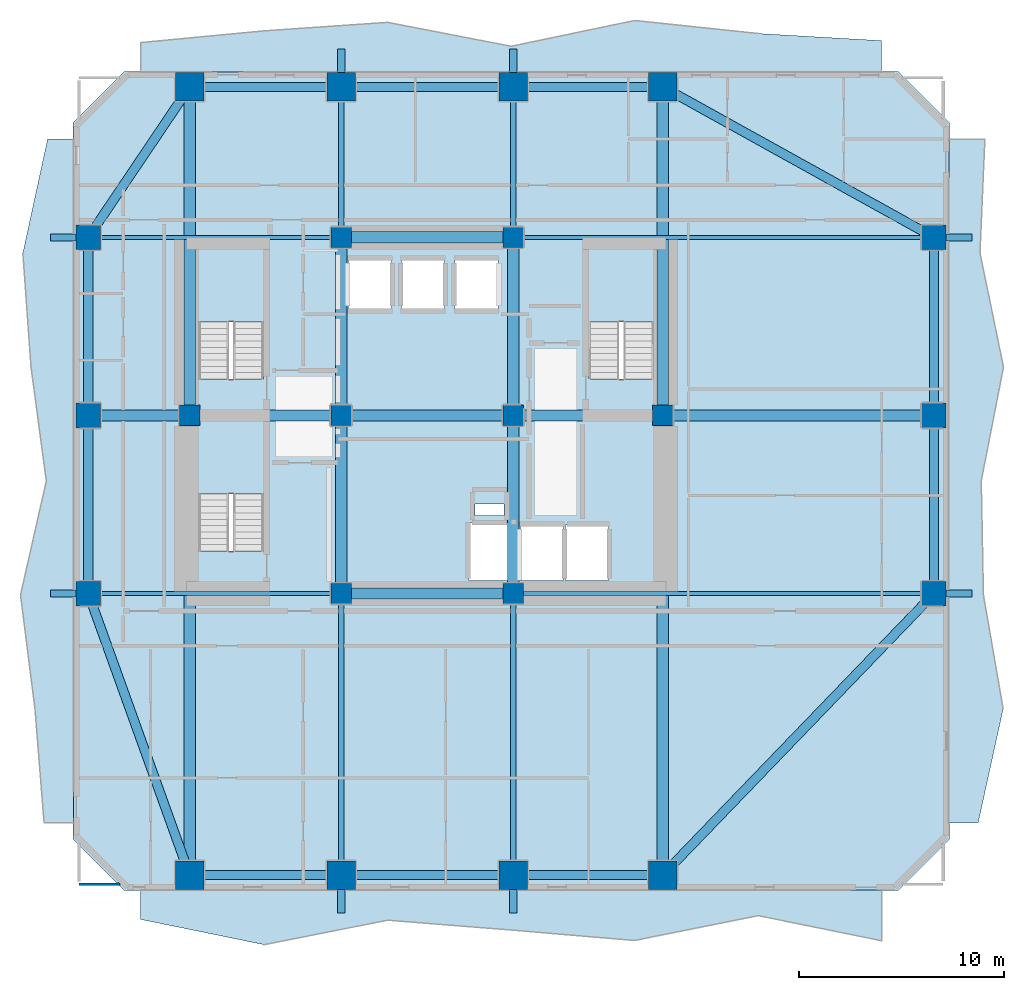
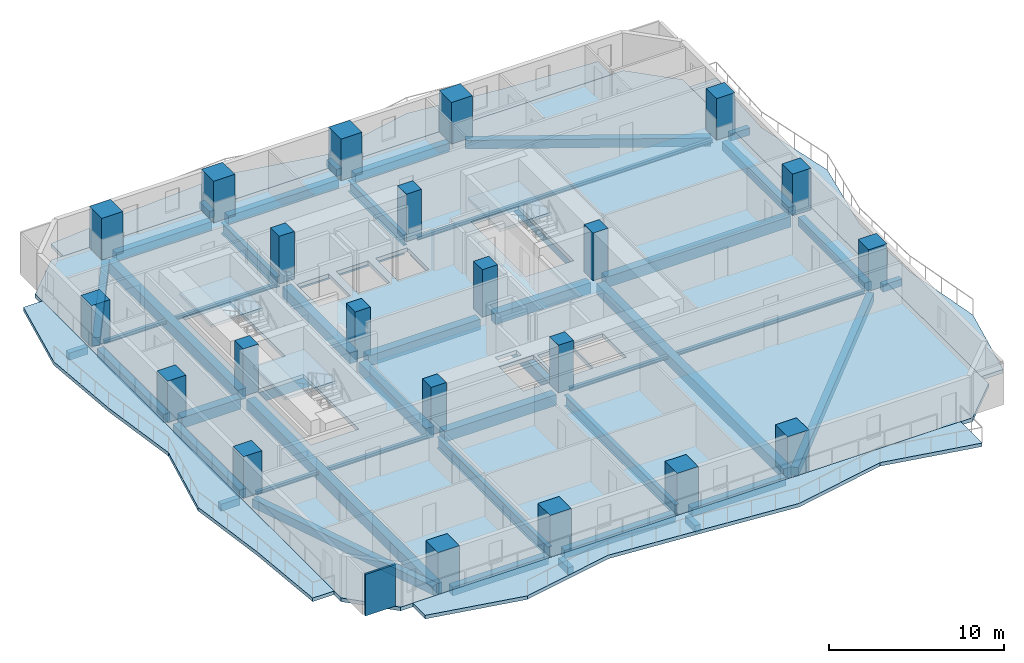
# One storey, part 1 of 9: 45 beams, 22 columns, 8 slabs, 1 wall, 3 elements without a shape of their own.
"""IFC4 building model written with IfcOpenShell, lengths in metres."""

from ifc_helpers import new_model, si_unit, direction, frame, frame_2d, origin, origin_2d, place, context, subcontext, project, spatial, polyline, rectangle, i_section, outline, extrude, material, layer, layer_set, material_profile, profile_set, type_object, element, aggregate, save


model = new_model("IFC4")

# Units and contexts
model_context = context("Model", 3, precision=1e-05, world=origin(), true_north=direction((0.0, 1.0)))
body_context = subcontext(model_context, "Body", "Model", "MODEL_VIEW")
ifc_project = project(units=[si_unit("LENGTHUNIT", "METRE"), si_unit("AREAUNIT", "SQUARE_METRE"), si_unit("VOLUMEUNIT", "CUBIC_METRE"), si_unit("PLANEANGLEUNIT", "RADIAN"), si_unit("MASSUNIT", "GRAM", prefix="KILO")], contexts=[model_context])

# Site, building, storey
site_placement = place(None, origin())
site = spatial("IfcSite", under=ifc_project, at=site_placement, CompositionType="ELEMENT")
building_placement = place(site_placement, origin())
building = spatial("IfcBuilding", under=site, at=building_placement, Name="Solanera Arch Residences", CompositionType="ELEMENT")
storey_placement = place(building_placement, frame((0.0, 0.0, 58.52001953125)))
storey = spatial("IfcBuildingStorey", under=building, at=storey_placement, Name="L16", CompositionType="ELEMENT", Elevation=58.52001953125)

# Columns
ifc_material_1 = material(Name="Concrete C55/67 (f'c = 60 MPa)", Category="concrete")
ifc_material_profile_1 = material_profile(ifc_material_1, rectangle(XDim=1.0, YDim=1.0, at=origin_2d()))
ifc_profile_set_1 = profile_set([ifc_material_profile_1], Name="Concrete C55/67 (f'c = 60 MPa)")
column_type_1 = type_object("IfcColumnType", Name="Structural Column RC-COL-1000X1000", PredefinedType="COLUMN", material=ifc_profile_set_1)
for number, where, z_axis, x_axis, name in (
    (1, (20.800048828125, 22.0, 0.0), (0.0, 0.0, 1.0), (1.0, 0.0, 0.0), "COL-L16-CB-SW"),
    (2, (29.199951171875, 22.0, 0.0), (0.0, 0.0, 1.0), (1.0, 0.0, 0.0), "COL-L16-CB-SE"),
    (3, (20.800048828125, 39.39990234375, 0.0), (0.0, 0.0, 1.0), (1.0, 0.0, 0.0), "COL-L16-CB-NW"),
    (4, (29.199951171875, 39.39990234375, 0.0), (0.0, 0.0, 1.0), (1.0, 0.0, 0.0), "COL-L16-CB-NE"),
    (5, (13.39990234375, 30.699951171875, 0.0), (0.0, 0.0, 1.0), (1.0, 0.0, 0.0), "COL-L16-CB-WW"),
    (6, (36.5, 30.699951171875, 0.0), (0.0, 0.0, 1.0), (1.0, 0.0, 0.0), "COL-L16-CB-EE"),
    (7, (20.800048828125, 30.699951171875, 0.0), (0.0, 0.0, 1.0), (1.0, 0.0, 0.0), "COL-L16-CORE-W"),
    (8, (29.199951171875, 30.699951171875, 0.0), (0.0, 0.0, 1.0), (1.0, 0.0, 0.0), "COL-L16-CORE-E"),
):
    element("IfcColumn", number, at=place(storey_placement, frame(where, z_axis=z_axis, x_axis=x_axis)), inside=storey, type_object=column_type_1, Name=name, PredefinedType="COLUMN", context=body_context, shape_type="SweptSolid", body=[
        extrude(rectangle(XDim=1.0, YDim=1.0, at=origin_2d()), origin(), (0.0, 0.0, 1.0), 3.320068359375),
    ])
ifc_material_2 = material(Name="Concrete C55/67 (f'c = 60 MPa)", Category="concrete")
ifc_material_profile_2 = material_profile(ifc_material_2, rectangle(XDim=1.199951171875, YDim=1.199951171875, at=origin_2d()))
ifc_profile_set_2 = profile_set([ifc_material_profile_2], Name="Concrete C55/67 (f'c = 60 MPa)")
column_type_2 = type_object("IfcColumnType", Name="Structural Column RC-COL-1200X1200", PredefinedType="COLUMN", material=ifc_profile_set_2)
for number, where, z_axis, x_axis, name in (
    (9, (8.449951171875, 22.0, 0.0), (0.0, 0.0, 1.0), (1.0, 0.0, 0.0), "COL-L16-TWR-09"),
    (10, (49.75, 22.0, 0.0), (0.0, 0.0, 1.0), (1.0, 0.0, 0.0), "COL-L16-TWR-10"),
    (11, (8.449951171875, 30.699951171875, 0.0), (0.0, 0.0, 1.0), (1.0, 0.0, 0.0), "COL-L16-TWR-11"),
    (12, (49.75, 30.699951171875, 0.0), (0.0, 0.0, 1.0), (1.0, 0.0, 0.0), "COL-L16-TWR-12"),
    (13, (8.449951171875, 39.39990234375, 0.0), (0.0, 0.0, 1.0), (1.0, 0.0, 0.0), "COL-L16-TWR-13"),
    (14, (49.75, 39.39990234375, 0.0), (0.0, 0.0, 1.0), (1.0, 0.0, 0.0), "COL-L16-TWR-14"),
):
    element("IfcColumn", number, at=place(storey_placement, frame(where, z_axis=z_axis, x_axis=x_axis)), inside=storey, type_object=column_type_2, Name=name, PredefinedType="COLUMN", context=body_context, shape_type="SweptSolid", body=[
        extrude(rectangle(XDim=1.199951171875, YDim=1.199951171875, at=origin_2d()), origin(), (0.0, 0.0, 1.0), 2.89990234375),
    ])
ifc_material_3 = material(Name="Concrete C55/67 (f'c = 60 MPa)", Category="concrete")
ifc_material_profile_3 = material_profile(ifc_material_3, rectangle(XDim=1.39990234375, YDim=1.39990234375, at=origin_2d()))
ifc_profile_set_3 = profile_set([ifc_material_profile_3], Name="Concrete C55/67 (f'c = 60 MPa)")
column_type_3 = type_object("IfcColumnType", Name="Structural Column RC-COL-1400X1400", PredefinedType="COLUMN", material=ifc_profile_set_3)
for number, where, z_axis, x_axis, name in (
    (15, (13.39990234375, 8.25, 0.0), (0.0, 0.0, 1.0), (1.0, 0.0, 0.0), "COL-L16-TWR-01"),
    (16, (13.39990234375, 46.75, 0.0), (0.0, 0.0, 1.0), (1.0, 0.0, 0.0), "COL-L16-TWR-02"),
    (17, (20.800048828125, 8.25, 0.0), (0.0, 0.0, 1.0), (1.0, 0.0, 0.0), "COL-L16-TWR-03"),
    (18, (20.800048828125, 46.75, 0.0), (0.0, 0.0, 1.0), (1.0, 0.0, 0.0), "COL-L16-TWR-04"),
    (19, (29.199951171875, 8.25, 0.0), (0.0, 0.0, 1.0), (1.0, 0.0, 0.0), "COL-L16-TWR-05"),
    (20, (29.199951171875, 46.75, 0.0), (0.0, 0.0, 1.0), (1.0, 0.0, 0.0), "COL-L16-TWR-06"),
    (21, (36.5, 8.25, 0.0), (0.0, 0.0, 1.0), (1.0, 0.0, 0.0), "COL-L16-TWR-07"),
    (22, (36.5, 46.75, 0.0), (0.0, 0.0, 1.0), (1.0, 0.0, 0.0), "COL-L16-TWR-08"),
):
    element("IfcColumn", number, at=place(storey_placement, frame(where, z_axis=z_axis, x_axis=x_axis)), inside=storey, type_object=column_type_3, Name=name, PredefinedType="COLUMN", context=body_context, shape_type="SweptSolid", body=[
        extrude(rectangle(XDim=1.39990234375, YDim=1.39990234375, at=origin_2d()), origin(), (0.0, 0.0, 1.0), 2.89990234375),
    ])

# Beams
ifc_material_4 = material(Name="Concrete C40/50 (f'c = 45 MPa)", Category="concrete")
ifc_material_profile_4 = material_profile(ifc_material_4, rectangle(XDim=0.35009765625, YDim=0.5, at=origin_2d()))
ifc_profile_set_4 = profile_set([ifc_material_profile_4], Name="Concrete C40/50 (f'c = 45 MPa)")
beam_type_1 = type_object("IfcBeamType", Name="BM-BALC-RIB", PredefinedType="BEAM", material=ifc_profile_set_4)
for number, where, z_axis, x_axis, name in (
    (23, (20.800048828125, 6.39990234375, -0.5), (0.0, 1.0, 0.0), (-1.0, 0.0, 0.0), "BM-L16-BRIB-S1"),
    (24, (29.199951171875, 6.39990234375, -0.5), (0.0, 1.0, 0.0), (-1.0, 0.0, 0.0), "BM-L16-BRIB-S2"),
    (25, (20.800048828125, 47.449951171875, -0.5), (0.0, 1.0, 0.0), (-1.0, 0.0, 0.0), "BM-L16-BRIB-N1"),
    (26, (29.199951171875, 47.449951171875, -0.5), (0.0, 1.0, 0.0), (-1.0, 0.0, 0.0), "BM-L16-BRIB-N2"),
):
    element("IfcBeam", number, at=place(storey_placement, frame(where, z_axis=z_axis, x_axis=x_axis)), inside=storey, type_object=beam_type_1, Name=name, PredefinedType="BEAM", context=body_context, shape_type="SweptSolid", body=[
        extrude(rectangle(XDim=0.35009765625, YDim=0.5, at=origin_2d()), origin(), (0.0, 0.0, 1.0), 1.150146484375),
    ])
for number, where, z_axis, x_axis, name in (
    (27, (50.35009765625, 22.0, -0.5), (1.0, 0.0, 0.0), (0.0, 1.0, 0.0), "BM-L16-BRIB-E1"),
    (28, (50.35009765625, 39.39990234375, -0.5), (1.0, 0.0, 0.0), (0.0, 1.0, 0.0), "BM-L16-BRIB-E2"),
    (29, (6.60009765625, 22.0, -0.5), (1.0, 0.0, 0.0), (0.0, 1.0, 0.0), "BM-L16-BRIB-W1"),
    (30, (6.60009765625, 39.39990234375, -0.5), (1.0, 0.0, 0.0), (0.0, 1.0, 0.0), "BM-L16-BRIB-W2"),
):
    element("IfcBeam", number, at=place(storey_placement, frame(where, z_axis=z_axis, x_axis=x_axis)), inside=storey, type_object=beam_type_1, Name=name, PredefinedType="BEAM", context=body_context, shape_type="SweptSolid", body=[
        extrude(rectangle(XDim=0.35009765625, YDim=0.5, at=origin_2d()), origin(), (0.0, 0.0, 1.0), 1.25),
    ])
ifc_material_5 = material(Name="Concrete C40/50 (f'c = 45 MPa)", Category="concrete")
ifc_material_profile_5 = material_profile(ifc_material_5, rectangle(XDim=0.550048828125, YDim=0.75, at=origin_2d()))
ifc_profile_set_5 = profile_set([ifc_material_profile_5], Name="Concrete C40/50 (f'c = 45 MPa)")
beam_type_2 = type_object("IfcBeamType", Name="Primary Beam RC-BM-550X750", PredefinedType="BEAM", material=ifc_profile_set_5)
beam_1_placement = place(storey_placement, frame((20.800048828125, 22.50390625, -0.635009765625), z_axis=(0.0, 1.0, 0.0), x_axis=(-1.0, 0.0, 0.0)))
element("IfcBeam", 31, at=beam_1_placement, inside=storey, type_object=beam_type_2, Name="BM-L16-CC-S-208", PredefinedType="BEAM", context=body_context, shape_type="SweptSolid", body=[
    extrude(rectangle(XDim=0.550048828125, YDim=0.75, at=origin_2d()), origin(), (0.0, 0.0, 1.0), 7.692138671875),
])
beam_2_placement = place(storey_placement, frame((20.800048828125, 31.2041015625, -0.635009765625), z_axis=(0.0, 1.0, 0.0), x_axis=(-1.0, 0.0, 0.0)))
element("IfcBeam", 32, at=beam_2_placement, inside=storey, type_object=beam_type_2, Name="BM-L16-CC-N-208", PredefinedType="BEAM", context=body_context, shape_type="SweptSolid", body=[
    extrude(rectangle(XDim=0.550048828125, YDim=0.75, at=origin_2d()), origin(), (0.0, 0.0, 1.0), 7.69189453125),
])
beam_3_placement = place(storey_placement, frame((29.199951171875, 22.50390625, -0.635009765625), z_axis=(0.0, 1.0, 0.0), x_axis=(-1.0, 0.0, 0.0)))
element("IfcBeam", 33, at=beam_3_placement, inside=storey, type_object=beam_type_2, Name="BM-L16-CC-S-292", PredefinedType="BEAM", context=body_context, shape_type="SweptSolid", body=[
    extrude(rectangle(XDim=0.550048828125, YDim=0.75, at=origin_2d()), origin(), (0.0, 0.0, 1.0), 7.692138671875),
])
beam_4_placement = place(storey_placement, frame((29.199951171875, 31.2041015625, -0.635009765625), z_axis=(0.0, 1.0, 0.0), x_axis=(-1.0, 0.0, 0.0)))
element("IfcBeam", 34, at=beam_4_placement, inside=storey, type_object=beam_type_2, Name="BM-L16-CC-N-292", PredefinedType="BEAM", context=body_context, shape_type="SweptSolid", body=[
    extrude(rectangle(XDim=0.550048828125, YDim=0.75, at=origin_2d()), origin(), (0.0, 0.0, 1.0), 7.69189453125),
])
for number, where, z_axis, x_axis, name in (
    (35, (21.303955078125, 22.0, -0.635009765625), (1.0, 0.0, 0.0), (0.0, 1.0, 0.0), "BM-L16-CC-M-220"),
    (36, (21.303955078125, 30.699951171875, -0.635009765625), (1.0, 0.0, 0.0), (0.0, 1.0, 0.0), "BM-L16-CC-M-307"),
    (37, (21.303955078125, 39.39990234375, -0.635009765625), (1.0, 0.0, 0.0), (0.0, 1.0, 0.0), "BM-L16-CC-M-394"),
):
    element("IfcBeam", number, at=place(storey_placement, frame(where, z_axis=z_axis, x_axis=x_axis)), inside=storey, type_object=beam_type_2, Name=name, PredefinedType="BEAM", context=body_context, shape_type="SweptSolid", body=[
        extrude(rectangle(XDim=0.550048828125, YDim=0.75, at=origin_2d()), origin(), (0.0, 0.0, 1.0), 7.39208984375),
    ])
beam_5_placement = place(storey_placement, frame((13.904052734375, 30.699951171875, -0.635009765625), z_axis=(1.0, 0.0, 0.0), x_axis=(0.0, 1.0, 0.0)))
element("IfcBeam", 38, at=beam_5_placement, inside=storey, type_object=beam_type_2, Name="BM-L16-CC-W", PredefinedType="BEAM", context=body_context, shape_type="SweptSolid", body=[
    extrude(rectangle(XDim=0.550048828125, YDim=0.75, at=origin_2d()), origin(), (0.0, 0.0, 1.0), 6.391845703125),
])
beam_6_placement = place(storey_placement, frame((29.7041015625, 30.699951171875, -0.635009765625), z_axis=(1.0, 0.0, 0.0), x_axis=(0.0, 1.0, 0.0)))
element("IfcBeam", 39, at=beam_6_placement, inside=storey, type_object=beam_type_2, Name="BM-L16-CC-E", PredefinedType="BEAM", context=body_context, shape_type="SweptSolid", body=[
    extrude(rectangle(XDim=0.550048828125, YDim=0.75, at=origin_2d()), origin(), (0.0, 0.0, 1.0), 6.2919921875),
])
beam_7_placement = place(storey_placement, frame((13.39990234375, 8.7900390625, -0.635009765625), z_axis=(0.0, 1.0, 0.0), x_axis=(-1.0, 0.0, 0.0)))
element("IfcBeam", 40, at=beam_7_placement, inside=storey, type_object=beam_type_2, Name="BM-L16-RAD-OS-134", PredefinedType="BEAM", context=body_context, shape_type="SweptSolid", body=[
    extrude(rectangle(XDim=0.550048828125, YDim=0.75, at=origin_2d()), origin(), (0.0, 0.0, 1.0), 21.406005859375),
])
beam_8_placement = place(storey_placement, frame((13.39990234375, 31.2041015625, -0.635009765625), z_axis=(0.0, 1.0, 0.0), x_axis=(-1.0, 0.0, 0.0)))
element("IfcBeam", 41, at=beam_8_placement, inside=storey, type_object=beam_type_2, Name="BM-L16-RAD-ON-134", PredefinedType="BEAM", context=body_context, shape_type="SweptSolid", body=[
    extrude(rectangle(XDim=0.550048828125, YDim=0.75, at=origin_2d()), origin(), (0.0, 0.0, 1.0), 15.005859375),
])
beam_9_placement = place(storey_placement, frame((36.5, 8.7900390625, -0.635009765625), z_axis=(0.0, 1.0, 0.0), x_axis=(-1.0, 0.0, 0.0)))
element("IfcBeam", 42, at=beam_9_placement, inside=storey, type_object=beam_type_2, Name="BM-L16-RAD-OS-365", PredefinedType="BEAM", context=body_context, shape_type="SweptSolid", body=[
    extrude(rectangle(XDim=0.550048828125, YDim=0.75, at=origin_2d()), origin(), (0.0, 0.0, 1.0), 21.406005859375),
])
beam_10_placement = place(storey_placement, frame((36.5, 31.2041015625, -0.635009765625), z_axis=(0.0, 1.0, 0.0), x_axis=(-1.0, 0.0, 0.0)))
element("IfcBeam", 43, at=beam_10_placement, inside=storey, type_object=beam_type_2, Name="BM-L16-RAD-ON-365", PredefinedType="BEAM", context=body_context, shape_type="SweptSolid", body=[
    extrude(rectangle(XDim=0.550048828125, YDim=0.75, at=origin_2d()), origin(), (0.0, 0.0, 1.0), 15.005859375),
])
beam_11_placement = place(storey_placement, frame((8.989990234375, 30.699951171875, -0.635009765625), z_axis=(1.0, 0.0, 0.0), x_axis=(0.0, 1.0, 0.0)))
element("IfcBeam", 44, at=beam_11_placement, inside=storey, type_object=beam_type_2, Name="BM-L16-RAD-MW", PredefinedType="BEAM", context=body_context, shape_type="SweptSolid", body=[
    extrude(rectangle(XDim=0.550048828125, YDim=0.75, at=origin_2d()), origin(), (0.0, 0.0, 1.0), 3.906005859375),
])
beam_12_placement = place(storey_placement, frame((37.00390625, 30.699951171875, -0.635009765625), z_axis=(1.0, 0.0, 0.0), x_axis=(0.0, 1.0, 0.0)))
element("IfcBeam", 45, at=beam_12_placement, inside=storey, type_object=beam_type_2, Name="BM-L16-RAD-ME", PredefinedType="BEAM", context=body_context, shape_type="SweptSolid", body=[
    extrude(rectangle(XDim=0.550048828125, YDim=0.75, at=origin_2d()), origin(), (0.0, 0.0, 1.0), 12.2060546875),
])
ifc_material_6 = material(Name="Steel S355 (ASTM A992 / A572 Grade 50)", Category="steel")
ifc_material_profile_6 = material_profile(ifc_material_6, i_section(OverallWidth=0.26806640625, OverallDepth=0.77001953125, WebThickness=0.015625, FlangeThickness=0.025390625, at=origin_2d()))
ifc_profile_set_6 = profile_set([ifc_material_profile_6], Name="Steel S355 (ASTM A992 / A572 Grade 50)")
beam_type_3 = type_object("IfcBeamType", Name="Primary Beam W760X196", PredefinedType="BEAM", material=ifc_profile_set_6)
beam_13_placement = place(storey_placement, frame((20.800048828125, 8.7900390625, -0.64501953125), z_axis=(0.0, 1.0, 0.0), x_axis=(-1.0, 0.0, 0.0)))
element("IfcBeam", 46, at=beam_13_placement, inside=storey, type_object=beam_type_3, Name="BM-L16-RAD-S-208", PredefinedType="BEAM", context=body_context, shape_type="SweptSolid", body=[
    extrude(i_section(OverallWidth=0.26806640625, OverallDepth=0.77001953125, WebThickness=0.015625, FlangeThickness=0.025390625, at=origin_2d()), origin(), (0.0, 0.0, 1.0), 12.7060546875),
])
beam_14_placement = place(storey_placement, frame((20.800048828125, 39.904052734375, -0.64501953125), z_axis=(0.0, 1.0, 0.0), x_axis=(-1.0, 0.0, 0.0)))
element("IfcBeam", 47, at=beam_14_placement, inside=storey, type_object=beam_type_3, Name="BM-L16-RAD-N-208", PredefinedType="BEAM", context=body_context, shape_type="SweptSolid", body=[
    extrude(i_section(OverallWidth=0.26806640625, OverallDepth=0.77001953125, WebThickness=0.015625, FlangeThickness=0.025390625, at=origin_2d()), origin(), (0.0, 0.0, 1.0), 6.305908203125),
])
beam_15_placement = place(storey_placement, frame((29.199951171875, 8.7900390625, -0.64501953125), z_axis=(0.0, 1.0, 0.0), x_axis=(-1.0, 0.0, 0.0)))
element("IfcBeam", 48, at=beam_15_placement, inside=storey, type_object=beam_type_3, Name="BM-L16-RAD-S-292", PredefinedType="BEAM", context=body_context, shape_type="SweptSolid", body=[
    extrude(i_section(OverallWidth=0.26806640625, OverallDepth=0.77001953125, WebThickness=0.015625, FlangeThickness=0.025390625, at=origin_2d()), origin(), (0.0, 0.0, 1.0), 12.7060546875),
])
beam_16_placement = place(storey_placement, frame((29.199951171875, 39.904052734375, -0.64501953125), z_axis=(0.0, 1.0, 0.0), x_axis=(-1.0, 0.0, 0.0)))
element("IfcBeam", 49, at=beam_16_placement, inside=storey, type_object=beam_type_3, Name="BM-L16-RAD-N-292", PredefinedType="BEAM", context=body_context, shape_type="SweptSolid", body=[
    extrude(i_section(OverallWidth=0.26806640625, OverallDepth=0.77001953125, WebThickness=0.015625, FlangeThickness=0.025390625, at=origin_2d()), origin(), (0.0, 0.0, 1.0), 6.305908203125),
])
ifc_material_7 = material(Name="Steel S355 (ASTM A992 / A572 Grade 50)", Category="steel")
ifc_material_profile_7 = material_profile(ifc_material_7, i_section(OverallWidth=0.201904296875, OverallDepth=0.2470703125, WebThickness=0.00732421875, FlangeThickness=0.010986328125, at=origin_2d()))
ifc_profile_set_7 = profile_set([ifc_material_profile_7], Name="Steel S355 (ASTM A992 / A572 Grade 50)")
beam_type_4 = type_object("IfcBeamType", Name="Secondary Joist W250X49.1", PredefinedType="JOIST", material=ifc_profile_set_7)
beam_17_placement = place(storey_placement, frame((8.989990234375, 22.0, -0.384033203125), z_axis=(1.0, 0.0, 0.0), x_axis=(0.0, 1.0, 0.0)))
element("IfcBeam", 50, at=beam_17_placement, inside=storey, type_object=beam_type_4, Name="BM-L16-RAD-W-220", PredefinedType="JOIST", context=body_context, shape_type="SweptSolid", body=[
    extrude(i_section(OverallWidth=0.201904296875, OverallDepth=0.2470703125, WebThickness=0.00732421875, FlangeThickness=0.010986328125, at=origin_2d()), origin(), (0.0, 0.0, 1.0), 11.305908203125),
])
beam_18_placement = place(storey_placement, frame((29.7041015625, 22.0, -0.384033203125), z_axis=(1.0, 0.0, 0.0), x_axis=(0.0, 1.0, 0.0)))
element("IfcBeam", 51, at=beam_18_placement, inside=storey, type_object=beam_type_4, Name="BM-L16-RAD-E-220", PredefinedType="JOIST", context=body_context, shape_type="SweptSolid", body=[
    extrude(i_section(OverallWidth=0.201904296875, OverallDepth=0.2470703125, WebThickness=0.00732421875, FlangeThickness=0.010986328125, at=origin_2d()), origin(), (0.0, 0.0, 1.0), 19.505859375),
])
beam_19_placement = place(storey_placement, frame((8.989990234375, 39.39990234375, -0.384033203125), z_axis=(1.0, 0.0, 0.0), x_axis=(0.0, 1.0, 0.0)))
element("IfcBeam", 52, at=beam_19_placement, inside=storey, type_object=beam_type_4, Name="BM-L16-RAD-W-394", PredefinedType="JOIST", context=body_context, shape_type="SweptSolid", body=[
    extrude(i_section(OverallWidth=0.201904296875, OverallDepth=0.2470703125, WebThickness=0.00732421875, FlangeThickness=0.010986328125, at=origin_2d()), origin(), (0.0, 0.0, 1.0), 11.305908203125),
])
beam_20_placement = place(storey_placement, frame((29.7041015625, 39.39990234375, -0.384033203125), z_axis=(1.0, 0.0, 0.0), x_axis=(0.0, 1.0, 0.0)))
element("IfcBeam", 53, at=beam_20_placement, inside=storey, type_object=beam_type_4, Name="BM-L16-RAD-E-394", PredefinedType="JOIST", context=body_context, shape_type="SweptSolid", body=[
    extrude(i_section(OverallWidth=0.201904296875, OverallDepth=0.2470703125, WebThickness=0.00732421875, FlangeThickness=0.010986328125, at=origin_2d()), origin(), (0.0, 0.0, 1.0), 19.505859375),
])
ifc_material_8 = material(Name="Concrete C40/50 (f'c = 45 MPa)", Category="concrete")
ifc_material_profile_8 = material_profile(ifc_material_8, rectangle(XDim=0.449951171875, YDim=0.60009765625, at=origin_2d()))
ifc_profile_set_8 = profile_set([ifc_material_profile_8], Name="Concrete C40/50 (f'c = 45 MPa)")
beam_type_5 = type_object("IfcBeamType", Name="Spandrel Beam RC-BM-450X600", PredefinedType="SPANDREL", material=ifc_profile_set_8)
for number, where, z_axis, x_axis, name in (
    (54, (13.93994140625, 8.25, -0.56005859375), (1.0, 0.0, 0.0), (0.0, 1.0, 0.0), "BM-L16-SPN-S-1"),
    (55, (13.93994140625, 46.75, -0.56005859375), (1.0, 0.0, 0.0), (0.0, 1.0, 0.0), "BM-L16-SPN-N-1"),
):
    element("IfcBeam", number, at=place(storey_placement, frame(where, z_axis=z_axis, x_axis=x_axis)), inside=storey, type_object=beam_type_5, Name=name, PredefinedType="SPANDREL", context=body_context, shape_type="SweptSolid", body=[
        extrude(rectangle(XDim=0.449951171875, YDim=0.60009765625, at=origin_2d()), origin(), (0.0, 0.0, 1.0), 6.320068359375),
    ])
for number, where, z_axis, x_axis, name in (
    (56, (21.340087890625, 8.25, -0.56005859375), (1.0, 0.0, 0.0), (0.0, 1.0, 0.0), "BM-L16-SPN-S-2"),
    (57, (21.340087890625, 46.75, -0.56005859375), (1.0, 0.0, 0.0), (0.0, 1.0, 0.0), "BM-L16-SPN-N-2"),
):
    element("IfcBeam", number, at=place(storey_placement, frame(where, z_axis=z_axis, x_axis=x_axis)), inside=storey, type_object=beam_type_5, Name=name, PredefinedType="SPANDREL", context=body_context, shape_type="SweptSolid", body=[
        extrude(rectangle(XDim=0.449951171875, YDim=0.60009765625, at=origin_2d()), origin(), (0.0, 0.0, 1.0), 7.31982421875),
    ])
for number, where, z_axis, x_axis, name in (
    (58, (29.739990234375, 8.25, -0.56005859375), (1.0, 0.0, 0.0), (0.0, 1.0, 0.0), "BM-L16-SPN-S-3"),
    (59, (29.739990234375, 46.75, -0.56005859375), (1.0, 0.0, 0.0), (0.0, 1.0, 0.0), "BM-L16-SPN-N-3"),
):
    element("IfcBeam", number, at=place(storey_placement, frame(where, z_axis=z_axis, x_axis=x_axis)), inside=storey, type_object=beam_type_5, Name=name, PredefinedType="SPANDREL", context=body_context, shape_type="SweptSolid", body=[
        extrude(rectangle(XDim=0.449951171875, YDim=0.60009765625, at=origin_2d()), origin(), (0.0, 0.0, 1.0), 6.219970703125),
    ])
for number, where, z_axis, x_axis, name in (
    (60, (8.449951171875, 22.5400390625, -0.56005859375), (0.0, 1.0, 0.0), (-1.0, 0.0, 0.0), "BM-L16-SPN-W-1"),
    (61, (49.75, 22.5400390625, -0.56005859375), (0.0, 1.0, 0.0), (-1.0, 0.0, 0.0), "BM-L16-SPN-E-1"),
):
    element("IfcBeam", number, at=place(storey_placement, frame(where, z_axis=z_axis, x_axis=x_axis)), inside=storey, type_object=beam_type_5, Name=name, PredefinedType="SPANDREL", context=body_context, shape_type="SweptSolid", body=[
        extrude(rectangle(XDim=0.449951171875, YDim=0.60009765625, at=origin_2d()), origin(), (0.0, 0.0, 1.0), 7.619873046875),
    ])
for number, where, z_axis, x_axis, name in (
    (62, (8.449951171875, 31.239990234375, -0.56005859375), (0.0, 1.0, 0.0), (-1.0, 0.0, 0.0), "BM-L16-SPN-W-2"),
    (63, (49.75, 31.239990234375, -0.56005859375), (0.0, 1.0, 0.0), (-1.0, 0.0, 0.0), "BM-L16-SPN-E-2"),
):
    element("IfcBeam", number, at=place(storey_placement, frame(where, z_axis=z_axis, x_axis=x_axis)), inside=storey, type_object=beam_type_5, Name=name, PredefinedType="SPANDREL", context=body_context, shape_type="SweptSolid", body=[
        extrude(rectangle(XDim=0.449951171875, YDim=0.60009765625, at=origin_2d()), origin(), (0.0, 0.0, 1.0), 7.6201171875),
    ])
beam_21_placement = place(storey_placement, frame((13.217041015625, 8.758056640625, -0.56005859375), z_axis=(-0.338705414976, 0.940892470937, 0.0), x_axis=(-0.940892470937, -0.338705414976, 0.0)))
element("IfcBeam", 64, at=beam_21_placement, inside=storey, type_object=beam_type_5, Name="BM-L16-SPN-SW", PredefinedType="SPANDREL", context=body_context, shape_type="SweptSolid", body=[
    extrude(rectangle(XDim=0.449951171875, YDim=0.60009765625, at=origin_2d()), origin(), (0.0, 0.0, 1.0), 13.533935546875),
])
beam_22_placement = place(storey_placement, frame((13.097900390625, 46.302001953125, -0.56005859375), z_axis=(-0.558539143669, -0.829478164263, 0.0), x_axis=(0.829478164263, -0.558539143669, 0.0)))
element("IfcBeam", 65, at=beam_22_placement, inside=storey, type_object=beam_type_5, Name="BM-L16-SPN-NW", PredefinedType="SPANDREL", context=body_context, shape_type="SweptSolid", body=[
    extrude(rectangle(XDim=0.449951171875, YDim=0.60009765625, at=origin_2d()), origin(), (0.0, 0.0, 1.0), 7.781005859375),
])
beam_23_placement = place(storey_placement, frame((36.875, 8.638916015625, -0.56005859375), z_axis=(0.69388020893, 0.720090449635, 0.0), x_axis=(-0.720090449635, 0.69388020893, 0.0)))
element("IfcBeam", 66, at=beam_23_placement, inside=storey, type_object=beam_type_5, Name="BM-L16-SPN-SE", PredefinedType="SPANDREL", context=body_context, shape_type="SweptSolid", body=[
    extrude(rectangle(XDim=0.449951171875, YDim=0.60009765625, at=origin_2d()), origin(), (0.0, 0.0, 1.0), 18.0146484375),
])
beam_24_placement = place(storey_placement, frame((36.971923828125, 46.488037109375, -0.56005859375), z_axis=(0.874483596047, -0.485055089907, 0.0), x_axis=(0.485055089907, 0.874483596047, 0.0)))
element("IfcBeam", 67, at=beam_24_placement, inside=storey, type_object=beam_type_5, Name="BM-L16-SPN-NE", PredefinedType="SPANDREL", context=body_context, shape_type="SweptSolid", body=[
    extrude(rectangle(XDim=0.449951171875, YDim=0.60009765625, at=origin_2d()), origin(), (0.0, 0.0, 1.0), 14.072509765625),
])

# Slabs
ifc_material_9 = material(Name="Concrete C40/50 (f'c = 45 MPa)", Category="concrete")
ifc_layer_1 = layer(ifc_material_9, 0.25)
ifc_layer_set_1 = layer_set([ifc_layer_1], Name="Concrete C40/50 (f'c = 45 MPa)")
slab_type_1 = type_object("IfcSlabType", Name="Balcony Slab 250", PredefinedType="FLOOR", material=ifc_layer_set_1)
slab_1_placement = place(storey_placement, frame((0.0, 0.0, -0.25)))
element("IfcSlab", 68, at=slab_1_placement, inside=storey, type_object=slab_type_1, Name="L16 S Rippling Brise-Soleil Balcony Slab", PredefinedType="FLOOR", context=body_context, shape_type="SweptSolid", body=[
    extrude(outline(polyline([(11.0, 6.087890625), (17.032958984375, 4.85107421875), (23.06689453125, 6.049072265625), (29.10009765625, 5.569091796875), (35.133056640625, 5.05810546875), (41.1669921875, 6.27001953125), (47.199951171875, 5.044921875), (47.199951171875, 7.52001953125), (11.0, 7.52001953125), (11.0, 6.087890625)])), origin(), (0.0, 0.0, 1.0), 0.25),
])
slab_2_placement = place(storey_placement, frame((0.0, 0.0, -0.25)))
element("IfcSlab", 69, at=slab_2_placement, inside=storey, type_object=slab_type_1, Name="L16 N Rippling Brise-Soleil Balcony Slab", PredefinedType="FLOOR", context=body_context, shape_type="SweptSolid", body=[
    extrude(outline(polyline([(47.199951171875, 49.008056640625), (41.1669921875, 49.35693359375), (35.133056640625, 49.991943359375), (29.10009765625, 48.73291015625), (23.06689453125, 49.90087890625), (17.032958984375, 49.486083984375), (11.0, 48.912109375), (11.0, 47.47998046875), (47.199951171875, 47.47998046875), (47.199951171875, 49.008056640625)])), origin(), (0.0, 0.0, 1.0), 0.25),
])
slab_3_placement = place(storey_placement, frame((0.0, 0.0, -0.25)))
element("IfcSlab", 70, at=slab_3_placement, inside=storey, type_object=slab_type_1, Name="L16 E Rippling Brise-Soleil Balcony Slab", PredefinedType="FLOOR", context=body_context, shape_type="SweptSolid", body=[
    extrude(outline(polyline([(51.912109375, 10.800048828125), (53.132080078125, 16.366943359375), (52.16796875, 21.93310546875), (52.06103515625, 27.5), (53.14892578125, 33.06689453125), (52.0, 38.633056640625), (52.238037109375, 44.199951171875), (50.47998046875, 44.199951171875), (50.47998046875, 10.800048828125), (51.912109375, 10.800048828125)])), origin(), (0.0, 0.0, 1.0), 0.25),
])
slab_4_placement = place(storey_placement, frame((0.0, 0.0, -0.25)))
element("IfcSlab", 71, at=slab_4_placement, inside=storey, type_object=slab_type_1, Name="L16 W Rippling Brise-Soleil Balcony Slab", PredefinedType="FLOOR", context=body_context, shape_type="SweptSolid", body=[
    extrude(outline(polyline([(6.4580078125, 44.199951171875), (5.2509765625, 38.633056640625), (5.64892578125, 33.06689453125), (6.39697265625, 27.5), (5.135986328125, 21.93310546875), (5.843017578125, 16.366943359375), (6.2880859375, 10.800048828125), (7.719970703125, 10.800048828125), (7.719970703125, 44.199951171875), (6.4580078125, 44.199951171875)])), origin(), (0.0, 0.0, 1.0), 0.25),
])

# Stair, slab
ifc_material_10 = material(Name="Concrete C40/50 (f'c = 45 MPa)", Category="concrete")
stair_type = type_object("IfcStairType", Name="Tower Dogleg Exit Stair 1480", PredefinedType="HALF_TURN_STAIR", material=ifc_material_10)
stair_1_placement = place(storey_placement, origin())
stair_1 = element("IfcStair", 72, at=stair_1_placement, inside=storey, type_object=stair_type, Name="L16 Tower Core Exit Stair 1", PredefinedType="HALF_TURN_STAIR")
ifc_material_11 = material(Name="Concrete C40/50 (f'c = 45 MPa)", Category="concrete")
ifc_layer_2 = layer(ifc_material_11, 0.199951171875)
ifc_layer_set_2 = layer_set([ifc_layer_2], Name="Concrete C40/50 (f'c = 45 MPa)")
slab_type_2 = type_object("IfcSlabType", Name="Stair Half-Landing Slab 200", PredefinedType="LANDING", material=ifc_layer_set_2)
slab_5_placement = place(storey_placement, frame((0.0, 0.0, 1.4599609375)))
slab_5 = element("IfcSlab", 73, at=slab_5_placement, type_object=slab_type_2, Name="ST-T1 landing 1", PredefinedType="LANDING", context=body_context, shape_type="SweptSolid", body=[
    extrude(outline(polyline([(17.1201171875, 35.260009765625), (17.1201171875, 38.919921875), (13.719970703125, 38.919921875), (13.719970703125, 35.260009765625), (17.1201171875, 35.260009765625)])), origin(), (0.0, 0.0, 1.0), 0.199951171875),
])
aggregate(stair_1, [slab_5])

stair_2_placement = place(storey_placement, origin())
stair_2 = element("IfcStair", 74, at=stair_2_placement, inside=storey, type_object=stair_type, Name="L16 Tower Core Exit Stair 2", PredefinedType="HALF_TURN_STAIR")
slab_6_placement = place(storey_placement, frame((0.0, 0.0, 1.4599609375)))
slab_6 = element("IfcSlab", 75, at=slab_6_placement, type_object=slab_type_2, Name="ST-T2 landing 1", PredefinedType="LANDING", context=body_context, shape_type="SweptSolid", body=[
    extrude(outline(polyline([(36.179931640625, 35.260009765625), (36.179931640625, 38.919921875), (32.780029296875, 38.919921875), (32.780029296875, 35.260009765625), (36.179931640625, 35.260009765625)])), origin(), (0.0, 0.0, 1.0), 0.199951171875),
])
aggregate(stair_2, [slab_6])

stair_3_placement = place(storey_placement, origin())
stair_3 = element("IfcStair", 76, at=stair_3_placement, inside=storey, type_object=stair_type, Name="L16 Tower Core Exit Stair 3", PredefinedType="HALF_TURN_STAIR")
slab_7_placement = place(storey_placement, frame((0.0, 0.0, 1.4599609375)))
slab_7 = element("IfcSlab", 77, at=slab_7_placement, type_object=slab_type_2, Name="ST-T3 landing 1", PredefinedType="LANDING", context=body_context, shape_type="SweptSolid", body=[
    extrude(outline(polyline([(17.1201171875, 26.860107421875), (17.1201171875, 30.52001953125), (13.719970703125, 30.52001953125), (13.719970703125, 26.860107421875), (17.1201171875, 26.860107421875)])), origin(), (0.0, 0.0, 1.0), 0.199951171875),
])
aggregate(stair_3, [slab_7])

# Slab
ifc_material_12 = material(Name="Concrete C40/50 (f'c = 45 MPa)", Category="concrete")
ifc_layer_3 = layer(ifc_material_12, 0.260009765625)
ifc_layer_set_3 = layer_set([ifc_layer_3], Name="Concrete C40/50 (f'c = 45 MPa)")
slab_type_3 = type_object("IfcSlabType", Name="Suspended Floor Slab Post-Tensioned 260", PredefinedType="FLOOR", material=ifc_layer_set_3)
slab_8_placement = place(storey_placement, frame((0.0, 0.0, -0.260009765625)))
element("IfcSlab", 78, at=slab_8_placement, inside=storey, type_object=slab_type_3, Name="L16 Tower Post-Tensioned Floor Slab", PredefinedType="FLOOR", context=body_context, shape_type="SweptSolid", body=[
    extrude(outline(polyline([(10.199951171875, 7.5), (48.0, 7.5), (50.5, 10.0), (50.5, 45.0), (48.0, 47.5), (10.199951171875, 47.5), (7.699951171875, 45.0), (7.699951171875, 10.0), (10.199951171875, 7.5)]), holes=[polyline([(13.840087890625, 32.48291015625), (13.840087890625, 38.800048828125), (17.0, 38.800048828125), (17.0, 32.48291015625), (13.840087890625, 32.48291015625)]), polyline([(32.89990234375, 32.48291015625), (32.89990234375, 38.800048828125), (36.06005859375, 38.800048828125), (36.06005859375, 32.48291015625), (32.89990234375, 32.48291015625)]), polyline([(13.840087890625, 24.0830078125), (13.840087890625, 30.39990234375), (17.0, 30.39990234375), (17.0, 24.0830078125), (13.840087890625, 24.0830078125)]), polyline([(21.14990234375, 38.35009765625), (23.25, 38.35009765625), (23.25, 35.85009765625), (21.14990234375, 35.85009765625), (21.14990234375, 38.35009765625)]), polyline([(23.75, 38.35009765625), (25.85009765625, 38.35009765625), (25.85009765625, 35.85009765625), (23.75, 35.85009765625), (23.75, 38.35009765625)]), polyline([(26.35009765625, 38.35009765625), (28.449951171875, 38.35009765625), (28.449951171875, 35.85009765625), (26.35009765625, 35.85009765625), (26.35009765625, 38.35009765625)]), polyline([(29.550048828125, 25.35009765625), (31.64990234375, 25.35009765625), (31.64990234375, 22.64990234375), (29.550048828125, 22.64990234375), (29.550048828125, 25.35009765625)]), polyline([(31.75, 25.35009765625), (33.85009765625, 25.35009765625), (33.85009765625, 22.64990234375), (31.75, 22.64990234375), (31.75, 25.35009765625)]), polyline([(27.050048828125, 25.449951171875), (29.35009765625, 25.449951171875), (29.35009765625, 22.64990234375), (27.050048828125, 22.64990234375), (27.050048828125, 25.449951171875)]), polyline([(27.340087890625, 26.3798828125), (28.760009765625, 26.3798828125), (28.760009765625, 25.820068359375), (27.340087890625, 25.820068359375), (27.340087890625, 26.3798828125)])]), origin(), (0.0, 0.0, 1.0), 0.260009765625),
])

# Wall
ifc_material_13 = material(Name="Fire-Rated Gypsum Stud Partition", Category="gypsum")
ifc_layer_4 = layer(ifc_material_13, 0.1201171875)
ifc_layer_set_4 = layer_set([ifc_layer_4], Name="Fire-Rated Gypsum Stud Partition")
wall_type = type_object("IfcWallType", Name="Unit Drywall Partition 120", PredefinedType="PARTITIONING", material=ifc_layer_set_4)
wall_placement = place(storey_placement, frame((8.0, 7.800048828125, 0.0), z_axis=(0.0, 0.0, 1.0), x_axis=(1.0, 0.0, 0.0)))
element("IfcWall", 79, at=wall_placement, inside=storey, type_object=wall_type, Name="L16 Interior Partition H19 1", PredefinedType="PARTITIONING", context=body_context, shape_type="SweptSolid", body=[
    extrude(rectangle(XDim=2.0009765625, YDim=0.1201171875, at=frame_2d((1.00048828125, 0.0))), origin(), (0.0, 0.0, 1.0), 2.89990234375),
])

save(model, "model.ifc")
